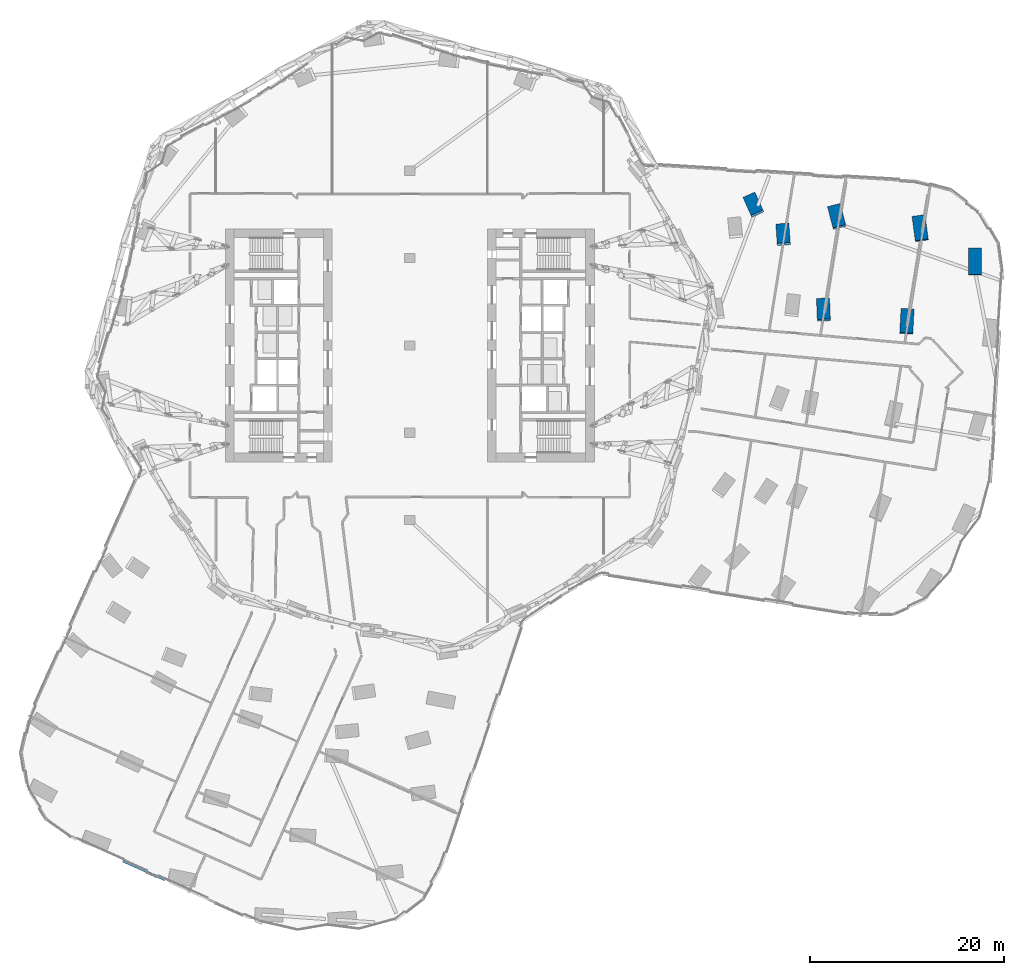
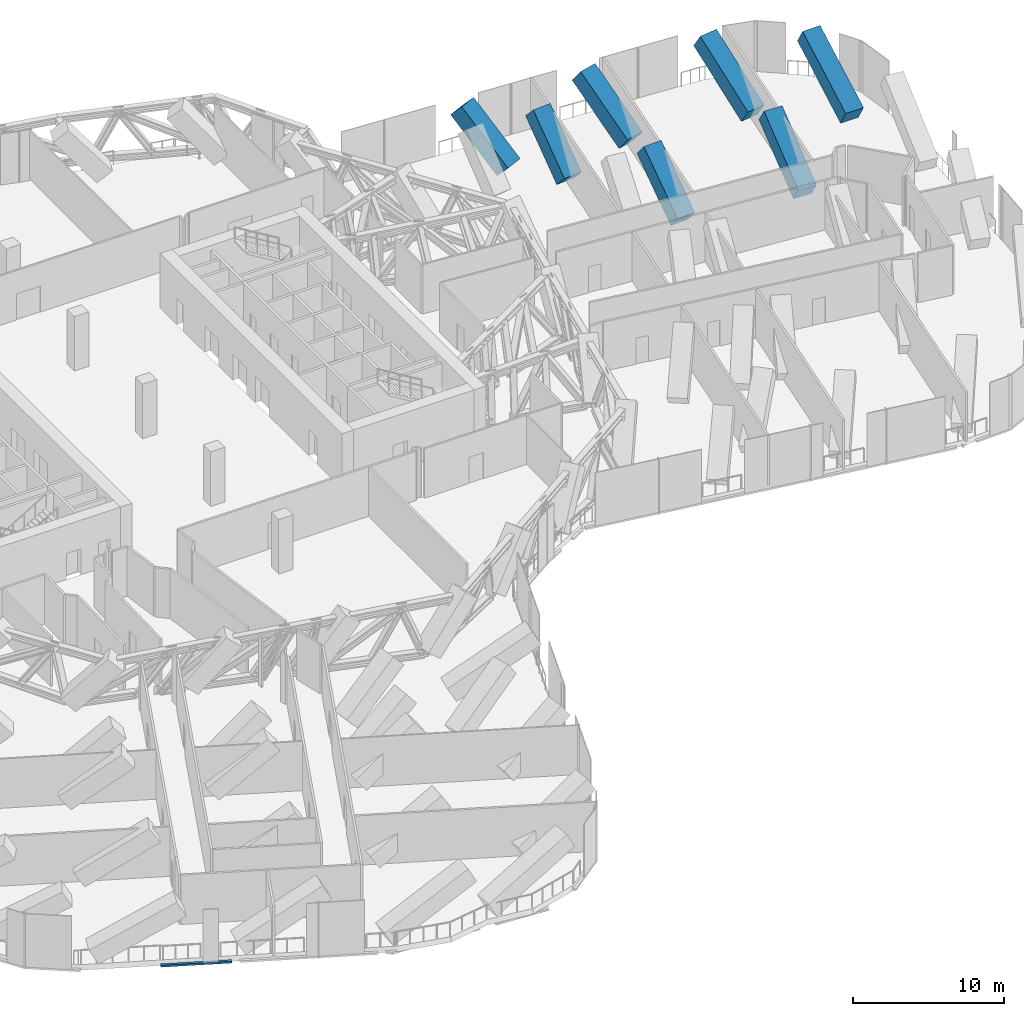
# One storey, part 2 of 39: 7 columns, 1 member, 1 element without a shape of its own.
"""IFC4 building model written with IfcOpenShell, lengths in metres."""

from ifc_helpers import new_model, si_unit, direction, frame, origin, origin_2d, place, context, subcontext, project, spatial, rectangle, extrude, material, material_profile, profile_set, type_object, element, aggregate, save


model = new_model("IFC4")

# Units and contexts
model_context = context("Model", 3, precision=1e-05, world=origin(), true_north=direction((0.0, 1.0)))
body_context = subcontext(model_context, "Body", "Model", "MODEL_VIEW")
ifc_project = project(units=[si_unit("LENGTHUNIT", "METRE"), si_unit("AREAUNIT", "SQUARE_METRE"), si_unit("VOLUMEUNIT", "CUBIC_METRE"), si_unit("PLANEANGLEUNIT", "RADIAN"), si_unit("MASSUNIT", "GRAM", prefix="KILO")], contexts=[model_context])

# Site, building, storey
site_placement = place(None, origin())
site = spatial("IfcSite", under=ifc_project, at=site_placement, CompositionType="ELEMENT")
building_placement = place(site_placement, origin())
building = spatial("IfcBuilding", under=site, at=building_placement, Name="Orlundy Tower", CompositionType="ELEMENT")
storey_placement = place(building_placement, frame((0.0, 0.0, 141.199951171875)))
storey = spatial("IfcBuildingStorey", under=building, at=storey_placement, Name="L36", CompositionType="ELEMENT", Elevation=141.199951171875)

# Columns
ifc_material_1 = material(Name="Concrete C80/95", Category="concrete")
ifc_material_profile_1 = material_profile(ifc_material_1, rectangle(XDim=1.35009765625, YDim=1.35009765625, at=origin_2d()), Name="RC1350X1350")
ifc_profile_set_1 = profile_set([ifc_material_profile_1], Name="Concrete C80/95")
column_type = type_object("IfcColumnType", Name="RC COLUMN RC1350X1350 C80/95", PredefinedType="COLUMN", material=ifc_profile_set_1)
column_1_placement = place(storey_placement, frame((42.64697265625, 2.944091796875, 0.52685546875), z_axis=(-0.031008623648, 0.780003687495, 0.625006170173), x_axis=(-0.999210726956, -0.039723080639, 0.0)))
element("IfcColumn", 1, at=column_1_placement, inside=storey, type_object=column_type, Name="Column C-A4-2 L36 strut", PredefinedType="COLUMN", context=body_context, shape_type="SweptSolid", body=[
    extrude(rectangle(XDim=1.35009765625, YDim=1.35009765625, at=origin_2d()), origin(), (0.0, 0.0, 1.0), 5.353759765625),
])
column_2_placement = place(storey_placement, frame((51.169921875, 1.568115234375, 0.5654296875), z_axis=(0.04361588417, 0.836413120188, 0.546361370363), x_axis=(-0.998643146119, 0.052075586498, 0.0)))
element("IfcColumn", 2, at=column_2_placement, inside=storey, type_object=column_type, Name="Column C-A4-3 L36 strut", PredefinedType="COLUMN", context=body_context, shape_type="SweptSolid", body=[
    extrude(rectangle(XDim=1.35009765625, YDim=1.35009765625, at=origin_2d()), origin(), (0.0, 0.0, 1.0), 5.983642578125),
])
column_3_placement = place(storey_placement, frame((35.6689453125, 13.89501953125, 0.50244140625), z_axis=(-0.304063178793, 0.679388163861, 0.667815323355), x_axis=(-0.912754954662, -0.408507518584, 0.0)))
element("IfcColumn", 3, at=column_3_placement, inside=storey, type_object=column_type, Name="Column C-A5-1 L36 strut", PredefinedType="COLUMN", context=body_context, shape_type="SweptSolid", body=[
    extrude(rectangle(XDim=1.35009765625, YDim=1.35009765625, at=origin_2d()), origin(), (0.0, 0.0, 1.0), 5.084228515625),
])
column_4_placement = place(storey_placement, frame((44.19189453125, 12.52001953125, 0.5400390625), z_axis=(-0.202235378763, 0.773948572578, 0.600087042504), x_axis=(-0.96751467614, -0.252814856078, 0.0)))
element("IfcColumn", 4, at=column_4_placement, inside=storey, type_object=column_type, Name="Column C-A5-2 L36 strut", PredefinedType="COLUMN", context=body_context, shape_type="SweptSolid", body=[
    extrude(rectangle(XDim=1.35009765625, YDim=1.35009765625, at=origin_2d()), origin(), (0.0, 0.0, 1.0), 5.53271484375),
])
column_5_placement = place(storey_placement, frame((52.715087890625, 11.139892578125, 0.57080078125), z_axis=(-0.113403951698, 0.837909197957, 0.533898604341), x_axis=(-0.990965260422, -0.134118800463, 0.0)))
element("IfcColumn", 5, at=column_5_placement, inside=storey, type_object=column_type, Name="Column C-A5-3 L36 strut", PredefinedType="COLUMN", context=body_context, shape_type="SweptSolid", body=[
    extrude(rectangle(XDim=1.35009765625, YDim=1.35009765625, at=origin_2d()), origin(), (0.0, 0.0, 1.0), 6.103271484375),
])
column_6_placement = place(storey_placement, frame((58.25, 7.611083984375, 0.586181640625), z_axis=(-0.005850757888, 0.868387488092, 0.495851731021), x_axis=(-0.999977303841, -0.006737343846, 0.0)))
element("IfcColumn", 6, at=column_6_placement, inside=storey, type_object=column_type, Name="Column C-A5-5 L36 strut", PredefinedType="COLUMN", context=body_context, shape_type="SweptSolid", body=[
    extrude(rectangle(XDim=1.35009765625, YDim=1.35009765625, at=origin_2d()), origin(), (0.0, 0.0, 1.0), 6.509521484375),
])
column_7_placement = place(storey_placement, frame((38.5048828125, 10.797119140625, 0.496337890625), z_axis=(-0.050890135073, 0.733536622535, 0.677741999253), x_axis=(-0.997602109571, -0.069210049704, 0.0)))
element("IfcColumn", 7, at=column_7_placement, inside=storey, type_object=column_type, Name="Column C-A5-6 L36 strut", PredefinedType="COLUMN", context=body_context, shape_type="SweptSolid", body=[
    extrude(rectangle(XDim=1.35009765625, YDim=1.35009765625, at=origin_2d()), origin(), (0.0, 0.0, 1.0), 5.027587890625),
])

# Curtain wall, member
ifc_material_2 = material(Name="Aluminium bronze anodised", Category="aluminium")
curtain_wall_type = type_object("IfcCurtainWallType", Name="CW4 wall", PredefinedType="NOTDEFINED", material=ifc_material_2)
curtain_wall_placement = place(storey_placement, origin())
curtain_wall = element("IfcCurtainWall", 8, at=curtain_wall_placement, inside=storey, type_object=curtain_wall_type, Name="CW4 run 07", PredefinedType="NOTDEFINED")
ifc_material_3 = material(Name="Aluminium bronze anodised", Category="aluminium")
ifc_material_profile_2 = material_profile(ifc_material_3, rectangle(XDim=0.199951171875, YDim=0.14990234375, at=origin_2d()), Name="CW4 transom 200x150")
ifc_profile_set_2 = profile_set([ifc_material_profile_2], Name="Aluminium bronze anodised")
member_type = type_object("IfcMemberType", Name="CW4 transom 200x150", PredefinedType="USERDEFINED", material=ifc_profile_set_2)
member_placement = place(storey_placement, frame((-25.27294921875, -55.08056640625, -0.375), z_axis=(-0.912369874399, 0.409366843173, 0.0), x_axis=(-0.409366843173, -0.912369874399, 0.0)))
member = element("IfcMember", 9, at=member_placement, type_object=member_type, Name="CW4 transom", ObjectType="TRANSOM", PredefinedType="USERDEFINED", context=body_context, shape_type="SweptSolid", body=[
    extrude(rectangle(XDim=0.199951171875, YDim=0.14990234375, at=origin_2d()), origin(), (0.0, 0.0, 1.0), 4.71142578125),
])
aggregate(curtain_wall, [member])

save(model, "model.ifc")
